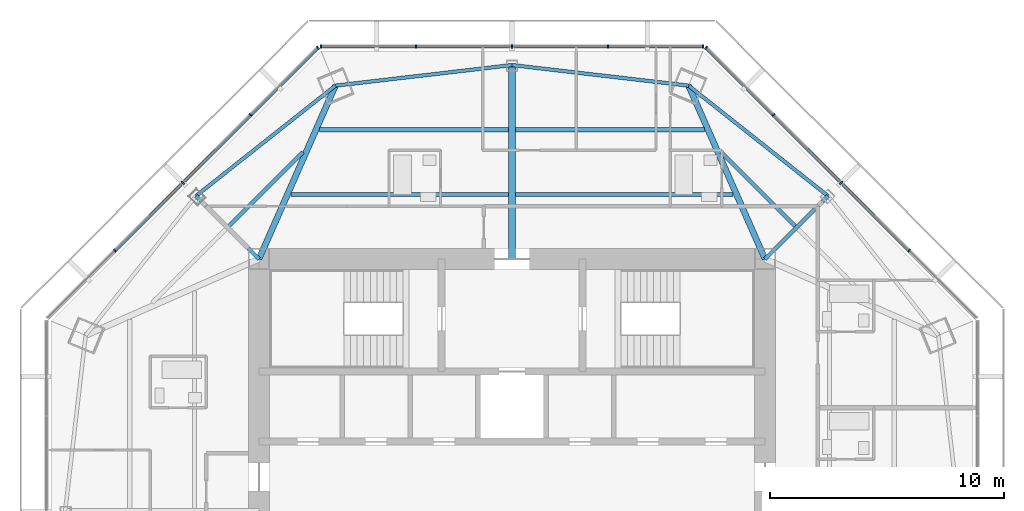
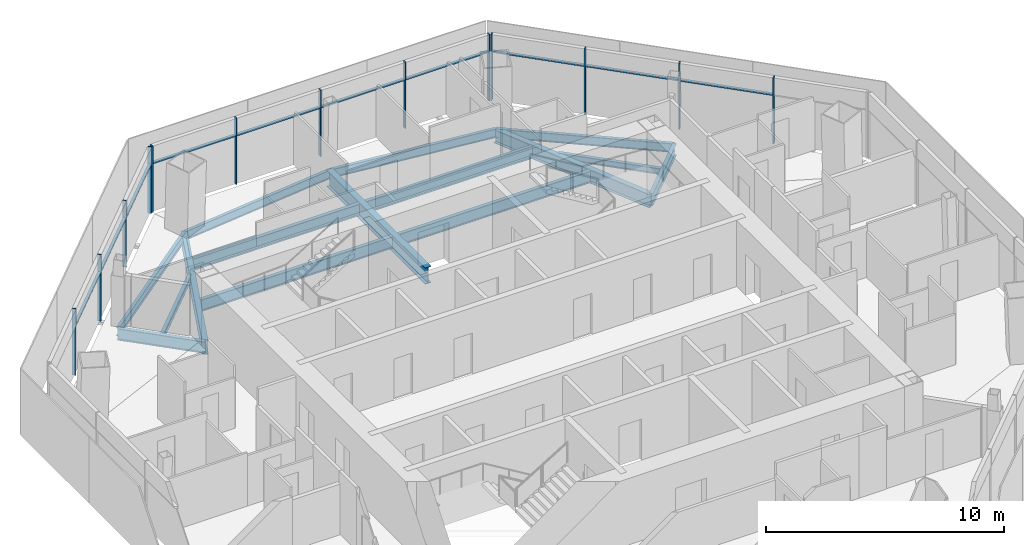
# One storey, part 6 of 14: 23 members, 15 beams, 3 elements without a shape of their own.
"""IFC4 building model written with IfcOpenShell, lengths in metres."""

import ifcopenshell
import ifcopenshell.guid

model = None  # the IFC model being written
_history = None  # IfcOwnerHistory: only IFC2X3 demands one
_inside = {}  # id of a spatial element -> (the spatial element, [elements in it])
_under = {}  # id of a project, library or spatial element -> (it, [spatial elements below it])
_declared = {}  # id of a project -> (the project, [libraries it declares])
_typed = {}  # id of a type object -> (the type object, [elements of that type])
_made_of = {}  # id of a material, layer set ... -> (it, [elements and type objects made of it])


def new_model(schema):
    """Start an empty IFC model of exactly this schema.

    Asked for "IFC4X3", IfcOpenShell would pick the latest addendum, in which some entities
    have other attributes; the version numbers below select the first issue.
    IFC2X3 requires an IfcOwnerHistory on every rooted entity: one is made here for all.
    """
    global model, _history
    if schema == "IFC4X3":
        model = ifcopenshell.file(schema_version=(4, 3, 0, 0))
    else:
        model = ifcopenshell.file(schema=schema)
    _inside.clear()
    _under.clear()
    _declared.clear()
    _typed.clear()
    _made_of.clear()
    _history = None
    if model.schema == "IFC2X3":
        org = make("IfcOrganization", Name="unknown")
        user = make(
            "IfcPersonAndOrganization",
            ThePerson=make("IfcPerson", FamilyName="unknown"),
            TheOrganization=org,
        )
        app = make(
            "IfcApplication",
            ApplicationDeveloper=org,
            Version="unknown",
            ApplicationFullName="unknown",
            ApplicationIdentifier="unknown",
        )
        _history = make(
            "IfcOwnerHistory",
            OwningUser=user,
            OwningApplication=app,
            ChangeAction="ADDED",
            CreationDate=0,
        )
    return model


def make(cls, **values):
    """One entity of the class cls with the attributes given. An attribute that is None is left unset."""
    return model.create_entity(
        cls, **{name: value for name, value in values.items() if value is not None}
    )


def rooted(cls, **values):
    """An entity with a GlobalId (a new one), such as an element, a storey or a relation."""
    return make(cls, GlobalId=ifcopenshell.guid.new(), OwnerHistory=_history, **values)


def si_unit(unit_type, name, prefix=None):
    """IfcSIUnit, for example si_unit("LENGTHUNIT", "METRE", prefix="MILLI")."""
    return make("IfcSIUnit", UnitType=unit_type, Prefix=prefix, Name=name)


def assignment(units):
    """IfcUnitAssignment: the units of a project."""
    return None if units is None else make("IfcUnitAssignment", Units=units)


def point(xyz):
    """IfcCartesianPoint."""
    return None if xyz is None else make("IfcCartesianPoint", Coordinates=xyz)


def direction(xyz):
    """IfcDirection."""
    return None if xyz is None else make("IfcDirection", DirectionRatios=xyz)


def frame(location, z_axis=None, x_axis=None):
    """IfcAxis2Placement3D, a coordinate frame: its origin and axes. An axis left out is left unset."""
    return make(
        "IfcAxis2Placement3D",
        Location=point(location),
        Axis=direction(z_axis),
        RefDirection=direction(x_axis),
    )


def frame_2d(location, x_axis=None):
    """IfcAxis2Placement2D, a coordinate frame in the plane: its origin and x axis."""
    return make(
        "IfcAxis2Placement2D", Location=point(location), RefDirection=direction(x_axis)
    )


def origin():
    """The frame at (0, 0, 0) with its axes left unset."""
    return frame((0.0, 0.0, 0.0))


def origin_2d():
    """The frame at (0, 0) in the plane with its x axis left unset."""
    return frame_2d((0.0, 0.0))


def place(relative_to, where):
    """IfcLocalPlacement: puts the frame where relative to a parent placement (None: the world)."""
    return make(
        "IfcLocalPlacement", PlacementRelTo=relative_to, RelativePlacement=where
    )


def context(
    kind, dimensions, precision=None, world=None, true_north=None, identifier=None
):
    """IfcGeometricRepresentationContext, for example the 3D "Model" context."""
    return make(
        "IfcGeometricRepresentationContext",
        ContextIdentifier=identifier,
        ContextType=kind,
        CoordinateSpaceDimension=dimensions,
        Precision=precision,
        WorldCoordinateSystem=world,
        TrueNorth=true_north,
    )


def subcontext(parent, identifier, kind, view, scale=None):
    """IfcGeometricRepresentationSubContext, for example "Body" below "Model"."""
    return make(
        "IfcGeometricRepresentationSubContext",
        ContextIdentifier=identifier,
        ContextType=kind,
        ParentContext=parent,
        TargetScale=scale,
        TargetView=view,
    )


def project(units=None, contexts=None):
    """IfcProject with its units and contexts."""
    return rooted(
        "IfcProject",
        Name="project",
        RepresentationContexts=contexts,
        UnitsInContext=assignment(units),
    )


def spatial(cls, under=None, at=None, **own):
    """A site, building, storey or space (cls), placed at a placement, below another one or the project."""
    s = rooted(cls, ObjectPlacement=at, **own)
    if under is not None:
        _under.setdefault(under.id(), (under, []))[1].append(s)
    return s


def profile(cls, at=None, kind="AREA", **sizes):
    """A parametric profile (cls). Its sizes go by their IFC names, for example OverallWidth=200.0."""
    return make(cls, ProfileType=kind, Position=at, **sizes)


def rectangle(**sizes):
    """IfcRectangleProfileDef."""
    return profile("IfcRectangleProfileDef", **sizes)


def i_section(**sizes):
    """IfcIShapeProfileDef."""
    return profile("IfcIShapeProfileDef", **sizes)


def extrude(swept, where, along, depth):
    """IfcExtrudedAreaSolid: the profile swept, set in the frame where, extruded along a direction by depth."""
    return make(
        "IfcExtrudedAreaSolid",
        SweptArea=swept,
        Position=where,
        ExtrudedDirection=direction(along),
        Depth=depth,
    )


def shape(context_of_items, identifier, shape_type, items):
    """IfcShapeRepresentation: the items that make up one representation, for example the "Body"."""
    return make(
        "IfcShapeRepresentation",
        ContextOfItems=context_of_items,
        RepresentationIdentifier=identifier,
        RepresentationType=shape_type,
        Items=items,
    )


def source(mapping_origin, context_of_items, identifier, shape_type, items):
    """IfcRepresentationMap: a shape defined once, which mapped items show again and again."""
    return make(
        "IfcRepresentationMap",
        MappingOrigin=mapping_origin,
        MappedRepresentation=shape(context_of_items, identifier, shape_type, items),
    )


def transform(
    local_origin,
    x_axis=None,
    y_axis=None,
    z_axis=None,
    scale=None,
    scale2=None,
    scale3=None,
    uniform=True,
):
    """IfcCartesianTransformationOperator3D, or its non-uniform kind. x_axis, y_axis, z_axis: its Axis1, 2, 3."""
    if uniform:
        return make(
            "IfcCartesianTransformationOperator3D",
            Axis1=direction(x_axis),
            Axis2=direction(y_axis),
            LocalOrigin=point(local_origin),
            Scale=scale,
            Axis3=direction(z_axis),
        )
    return make(
        "IfcCartesianTransformationOperator3DnonUniform",
        Axis1=direction(x_axis),
        Axis2=direction(y_axis),
        LocalOrigin=point(local_origin),
        Scale=scale,
        Axis3=direction(z_axis),
        Scale2=scale2,
        Scale3=scale3,
    )


def mapped(mapping_source, mapping_target):
    """IfcMappedItem: shows the shape of a source again, moved by a transform."""
    return make(
        "IfcMappedItem", MappingSource=mapping_source, MappingTarget=mapping_target
    )


def material(Name=None, Category=None):
    """IfcMaterial."""
    return make("IfcMaterial", Name=Name, Category=Category)


def material_profile(
    of_material, cross_section, Name=None, Category=None, Priority=None
):
    """IfcMaterialProfile: a cross section and its material."""
    return make(
        "IfcMaterialProfile",
        Name=Name,
        Material=of_material,
        Profile=cross_section,
        Priority=Priority,
        Category=Category,
    )


def profile_set(profiles, Name=None, composite=None):
    """IfcMaterialProfileSet."""
    return make(
        "IfcMaterialProfileSet",
        Name=Name,
        MaterialProfiles=profiles,
        CompositeProfile=composite,
    )


def made_of(thing, what):
    """Note that an element or type object is made of a material, layer set ...; save() writes the relation."""
    if what is not None:
        _made_of.setdefault(what.id(), (what, []))[1].append(thing)
    return thing


def type_object(cls, material=None, **own):
    """A type object (cls), such as IfcWallType, which elements share."""
    return made_of(rooted(cls, **own), material)


def type_shapes(of_type, sources):
    """Give a type object the sources (RepresentationMaps) that its elements show as mapped items."""
    of_type.RepresentationMaps = sources


def element(
    cls,
    number,
    at=None,
    inside=None,
    cuts=None,
    type_object=None,
    material=None,
    context=None,
    identifier="Body",
    shape_type=None,
    held_by="IfcProductDefinitionShape",
    body=None,
    shapes=None,
    **own,
):
    """One element of the class cls, such as IfcWall. Its Tag is "e" and its number.

    at: its placement. inside: the storey or other place that contains it. cuts: it is an
    opening in that element (IfcRelVoidsElement). A single representation is given by context,
    identifier, shape_type and body (its items); several are given by shapes. held_by: the class
    of the entity that holds the representations. save() writes the other relations.
    """
    e = rooted(cls, Tag="e%d" % number, ObjectPlacement=at, **own)
    if body is not None:
        shapes = [shape(context, identifier, shape_type, body)]
    if shapes is not None:
        e.Representation = make(held_by, Representations=shapes)
    if inside is not None:
        _inside.setdefault(inside.id(), (inside, []))[1].append(e)
    if cuts is not None:
        rooted(
            "IfcRelVoidsElement", RelatingBuildingElement=cuts, RelatedOpeningElement=e
        )
    if type_object is not None:
        _typed.setdefault(type_object.id(), (type_object, []))[1].append(e)
    return made_of(e, material)


def aggregate(whole, parts):
    """IfcRelAggregates: a whole, such as a stair, and the parts it consists of."""
    return rooted("IfcRelAggregates", RelatingObject=whole, RelatedObjects=parts)


def save(model, path):
    """Write the relations noted so far, then the file.

    IfcRelAggregates (storeys below a building ...), IfcRelContainedInSpatialStructure (elements
    in a storey), IfcRelDefinesByType, IfcRelAssociatesMaterial and IfcRelDeclares: one each for
    every whole, place, type object, material and project.
    """
    for whole, parts in _under.values():
        aggregate(whole, parts)
    for where, things in _inside.values():
        rooted(
            "IfcRelContainedInSpatialStructure",
            RelatedElements=things,
            RelatingStructure=where,
        )
    for kind, things in _typed.values():
        rooted("IfcRelDefinesByType", RelatedObjects=things, RelatingType=kind)
    for what, things in _made_of.values():
        rooted("IfcRelAssociatesMaterial", RelatedObjects=things, RelatingMaterial=what)
    for by, libraries in _declared.values():
        rooted("IfcRelDeclares", RelatingContext=by, RelatedDefinitions=libraries)
    model.write(path)


model = new_model("IFC4")

# Units and contexts
model_context = context("Model", 3, precision=1e-05, world=origin(), true_north=direction((0.0, 1.0)))
body_context = subcontext(model_context, "Body", "Model", "MODEL_VIEW")
ifc_project = project(units=[si_unit("LENGTHUNIT", "METRE"), si_unit("AREAUNIT", "SQUARE_METRE"), si_unit("VOLUMEUNIT", "CUBIC_METRE"), si_unit("PLANEANGLEUNIT", "RADIAN"), si_unit("MASSUNIT", "GRAM", prefix="KILO")], contexts=[model_context])

# Site, building, storey
site_placement = place(None, origin())
site = spatial("IfcSite", under=ifc_project, at=site_placement, CompositionType="ELEMENT")
building_placement = place(site_placement, origin())
building = spatial("IfcBuilding", under=site, at=building_placement, Name="Mashrafa Tower", CompositionType="ELEMENT")
storey_placement = place(building_placement, frame((0.0, 0.0, 287.800048828125)))
storey = spatial("IfcBuildingStorey", under=building, at=storey_placement, Name="L70", CompositionType="ELEMENT", Elevation=287.800048828125)

# Beams
ifc_material_1 = material(Name="Steel ASTM A992", Category="steel")
ifc_material_profile_1 = material_profile(ifc_material_1, i_section(OverallWidth=0.164794921875, OverallDepth=0.309814453125, WebThickness=0.005859375, FlangeThickness=0.009765625, FilletRadius=0.007568359375, at=origin_2d()), Name="W12X26")
ifc_profile_set_1 = profile_set([ifc_material_profile_1], Name="Steel ASTM A992")
beam_type_1 = type_object("IfcBeamType", Name="Beam W12X26", PredefinedType="BEAM", material=ifc_profile_set_1)
for number, where, z_axis, x_axis, name in (
    (1, (-12.08251953125, 12.20849609375, -0.35498046875), (0.707134169849, 0.707079391464, 0.0), (-0.707079391464, 0.707134169849, 0.0), "Floor beam L70 007"),
    (2, (8.930908203125, 15.35986328125, -0.35498046875), (0.707134169849, -0.707079391464, 0.0), (0.707079391464, 0.707134169849, 0.0), "Floor beam L70 016"),
):
    element("IfcBeam", number, at=place(storey_placement, frame(where, z_axis=z_axis, x_axis=x_axis)), inside=storey, type_object=beam_type_1, Name=name, PredefinedType="BEAM", context=body_context, shape_type="SweptSolid", body=[
        extrude(i_section(OverallWidth=0.164794921875, OverallDepth=0.309814453125, WebThickness=0.005859375, FlangeThickness=0.009765625, FilletRadius=0.007568359375, at=origin_2d()), origin(), (0.0, 0.0, 1.0), 4.456787109375),
    ])
ifc_material_2 = material(Name="Steel ASTM A992", Category="steel")
ifc_material_profile_2 = material_profile(ifc_material_2, i_section(OverallWidth=0.15234375, OverallDepth=0.449462890625, WebThickness=0.007568359375, FlangeThickness=0.0107421875, FilletRadius=0.01025390625, at=origin_2d()), Name="W18X35")
ifc_profile_set_2 = profile_set([ifc_material_profile_2], Name="Steel ASTM A992")
beam_type_2 = type_object("IfcBeamType", Name="Beam W18X35", PredefinedType="BEAM", material=ifc_profile_set_2)
beam_1_placement = place(storey_placement, frame((-7.5390625, 18.20068359375, -0.4248046875), z_axis=(-0.784159304462, -0.620559574276, 0.0), x_axis=(0.620559574276, -0.784159304462, 0.0)))
element("IfcBeam", 3, at=beam_1_placement, inside=storey, type_object=beam_type_2, Name="Spandrel beam L70 047", PredefinedType="BEAM", context=body_context, shape_type="SweptSolid", body=[
    extrude(i_section(OverallWidth=0.15234375, OverallDepth=0.449462890625, WebThickness=0.007568359375, FlangeThickness=0.0107421875, FilletRadius=0.01025390625, at=origin_2d()), origin(), (0.0, 0.0, 1.0), 7.58984375),
])
for number, where, z_axis, x_axis, name in (
    (4, (0.0, 19.078857421875, -0.4248046875), (-0.99328410251, -0.115700871656, 0.0), (0.115700871656, -0.99328410251, 0.0), "Spandrel beam L70 049"),
    (5, (7.5390625, 18.20068359375, -0.4248046875), (-0.99328410251, 0.115700871656, 0.0), (-0.115700871656, -0.99328410251, 0.0), "Spandrel beam L70 051"),
):
    element("IfcBeam", number, at=place(storey_placement, frame(where, z_axis=z_axis, x_axis=x_axis)), inside=storey, type_object=beam_type_2, Name=name, PredefinedType="BEAM", context=body_context, shape_type="SweptSolid", body=[
        extrude(i_section(OverallWidth=0.15234375, OverallDepth=0.449462890625, WebThickness=0.007568359375, FlangeThickness=0.0107421875, FilletRadius=0.01025390625, at=origin_2d()), origin(), (0.0, 0.0, 1.0), 7.590087890625),
    ])
beam_2_placement = place(storey_placement, frame((13.49072265625, 13.49072265625, -0.4248046875), z_axis=(-0.784159304462, 0.620559574276, 0.0), x_axis=(-0.620559574276, -0.784159304462, 0.0)))
element("IfcBeam", 6, at=beam_2_placement, inside=storey, type_object=beam_type_2, Name="Spandrel beam L70 053", PredefinedType="BEAM", context=body_context, shape_type="SweptSolid", body=[
    extrude(i_section(OverallWidth=0.15234375, OverallDepth=0.449462890625, WebThickness=0.007568359375, FlangeThickness=0.0107421875, FilletRadius=0.01025390625, at=origin_2d()), origin(), (0.0, 0.0, 1.0), 7.58984375),
])
ifc_material_3 = material(Name="Steel ASTM A992", Category="steel")
ifc_material_profile_3 = material_profile(ifc_material_3, i_section(OverallWidth=0.177978515625, OverallDepth=0.599365234375, WebThickness=0.010009765625, FlangeThickness=0.012939453125, FilletRadius=0.012939453125, at=origin_2d()), Name="W24X55")
ifc_profile_set_3 = profile_set([ifc_material_profile_3], Name="Steel ASTM A992")
beam_type_3 = type_object("IfcBeamType", Name="Beam W24X55", PredefinedType="BEAM", material=ifc_profile_set_3)
beam_3_placement = place(storey_placement, frame((-9.44384765625, 13.5595703125, -0.499755859375), z_axis=(1.0, 0.0, 0.0), x_axis=(0.0, 1.0, 0.0)))
element("IfcBeam", 7, at=beam_3_placement, inside=storey, type_object=beam_type_3, Name="Floor beam L70 008", PredefinedType="BEAM", context=body_context, shape_type="SweptSolid", body=[
    extrude(i_section(OverallWidth=0.177978515625, OverallDepth=0.599365234375, WebThickness=0.010009765625, FlangeThickness=0.012939453125, FilletRadius=0.012939453125, at=origin_2d()), origin(), (0.0, 0.0, 1.0), 9.2978515625),
])
beam_4_placement = place(storey_placement, frame((-8.227783203125, 16.3193359375, -0.499755859375), z_axis=(1.0, 0.0, 0.0), x_axis=(0.0, 1.0, 0.0)))
element("IfcBeam", 8, at=beam_4_placement, inside=storey, type_object=beam_type_3, Name="Floor beam L70 010", PredefinedType="BEAM", context=body_context, shape_type="SweptSolid", body=[
    extrude(i_section(OverallWidth=0.177978515625, OverallDepth=0.599365234375, WebThickness=0.010009765625, FlangeThickness=0.012939453125, FilletRadius=0.012939453125, at=origin_2d()), origin(), (0.0, 0.0, 1.0), 8.081787109375),
])
beam_5_placement = place(storey_placement, frame((0.14599609375, 13.5595703125, -0.499755859375), z_axis=(1.0, 0.0, 0.0), x_axis=(0.0, 1.0, 0.0)))
element("IfcBeam", 9, at=beam_5_placement, inside=storey, type_object=beam_type_3, Name="Floor beam L70 013", PredefinedType="BEAM", context=body_context, shape_type="SweptSolid", body=[
    extrude(i_section(OverallWidth=0.177978515625, OverallDepth=0.599365234375, WebThickness=0.010009765625, FlangeThickness=0.012939453125, FilletRadius=0.012939453125, at=origin_2d()), origin(), (0.0, 0.0, 1.0), 9.2978515625),
])
beam_6_placement = place(storey_placement, frame((0.14599609375, 16.3193359375, -0.499755859375), z_axis=(1.0, 0.0, 0.0), x_axis=(0.0, 1.0, 0.0)))
element("IfcBeam", 10, at=beam_6_placement, inside=storey, type_object=beam_type_3, Name="Floor beam L70 014", PredefinedType="BEAM", context=body_context, shape_type="SweptSolid", body=[
    extrude(i_section(OverallWidth=0.177978515625, OverallDepth=0.599365234375, WebThickness=0.010009765625, FlangeThickness=0.012939453125, FilletRadius=0.012939453125, at=origin_2d()), origin(), (0.0, 0.0, 1.0), 8.081787109375),
])
for number, where, z_axis, x_axis, name in (
    (11, (-10.800048828125, 10.800048828125, -0.499755859375), (-0.707106781187, 0.707106781187, 0.0), (-0.707106781187, -0.707106781187, 0.0), "Radial girder L70 030"),
    (12, (10.800048828125, 10.800048828125, -0.499755859375), (0.707106781187, 0.707106781187, 0.0), (-0.707106781187, 0.707106781187, 0.0), "Radial girder L70 039"),
):
    element("IfcBeam", number, at=place(storey_placement, frame(where, z_axis=z_axis, x_axis=x_axis)), inside=storey, type_object=beam_type_3, Name=name, PredefinedType="BEAM", context=body_context, shape_type="SweptSolid", body=[
        extrude(i_section(OverallWidth=0.177978515625, OverallDepth=0.599365234375, WebThickness=0.010009765625, FlangeThickness=0.012939453125, FilletRadius=0.012939453125, at=origin_2d()), origin(), (0.0, 0.0, 1.0), 3.80517578125),
    ])
ifc_material_4 = material(Name="Steel ASTM A992", Category="steel")
ifc_material_profile_4 = material_profile(ifc_material_4, i_section(OverallWidth=0.256591796875, OverallDepth=0.693359375, WebThickness=0.014404296875, FlangeThickness=0.023681640625, FilletRadius=0.01513671875, at=origin_2d()), Name="W27X114")
ifc_profile_set_4 = profile_set([ifc_material_profile_4], Name="Steel ASTM A992")
beam_type_4 = type_object("IfcBeamType", Name="Beam W27X114", PredefinedType="BEAM", material=ifc_profile_set_4)
for number, where, z_axis, x_axis, name in (
    (13, (-10.800048828125, 10.800048828125, -0.546875), (0.403226184423, 0.915100346517, 0.0), (-0.915100346517, 0.403226184423, 0.0), "Radial girder L70 031"),
    (14, (10.800048828125, 10.800048828125, -0.546875), (-0.403226184423, 0.915100346517, 0.0), (-0.915100346517, -0.403226184423, 0.0), "Radial girder L70 038"),
):
    element("IfcBeam", number, at=place(storey_placement, frame(where, z_axis=z_axis, x_axis=x_axis)), inside=storey, type_object=beam_type_4, Name=name, PredefinedType="BEAM", context=body_context, shape_type="SweptSolid", body=[
        extrude(i_section(OverallWidth=0.256591796875, OverallDepth=0.693359375, WebThickness=0.014404296875, FlangeThickness=0.023681640625, FilletRadius=0.01513671875, at=origin_2d()), origin(), (0.0, 0.0, 1.0), 8.087158203125),
    ])
ifc_material_5 = material(Name="Steel ASTM A992", Category="steel")
ifc_material_profile_5 = material_profile(ifc_material_5, i_section(OverallWidth=0.2919921875, OverallDepth=0.8408203125, WebThickness=0.0146484375, FlangeThickness=0.021728515625, FilletRadius=0.017333984375, at=origin_2d()), Name="W33X130")
ifc_profile_set_5 = profile_set([ifc_material_profile_5], Name="Steel ASTM A992")
beam_type_5 = type_object("IfcBeamType", Name="Beam W33X130", PredefinedType="BEAM", material=ifc_profile_set_5)
beam_7_placement = place(storey_placement, frame((0.0, 10.800048828125, -0.620361328125), z_axis=(0.0, 1.0, 0.0), x_axis=(-1.0, 0.0, 0.0)))
element("IfcBeam", 15, at=beam_7_placement, inside=storey, type_object=beam_type_5, Name="Radial girder L70 033", PredefinedType="BEAM", context=body_context, shape_type="SweptSolid", body=[
    extrude(i_section(OverallWidth=0.2919921875, OverallDepth=0.8408203125, WebThickness=0.0146484375, FlangeThickness=0.021728515625, FilletRadius=0.017333984375, at=origin_2d()), origin(), (0.0, 0.0, 1.0), 8.27880859375),
])

# Curtain wall, members
ifc_material_6 = material(Name="Unitised aluminium curtain wall", Category="aluminium")
curtain_wall_type = type_object("IfcCurtainWallType", Name="Apartment curtain wall, zone 4 CW-D 160 deep", PredefinedType="NOTDEFINED", material=ifc_material_6)
curtain_wall_1_placement = place(storey_placement, origin())
curtain_wall_1 = element("IfcCurtainWall", 16, at=curtain_wall_1_placement, inside=storey, type_object=curtain_wall_type, Name="Apartment curtain wall, zone 4 L70 north-east", PredefinedType="NOTDEFINED")
ifc_material_7 = material(Name="Extruded aluminium mullion", Category="aluminium")
ifc_material_profile_6 = material_profile(ifc_material_7, rectangle(XDim=0.159912109375, YDim=0.06005859375, at=origin_2d()), Name="Mullion 60x160")
ifc_profile_set_6 = profile_set([ifc_material_profile_6], Name="Extruded aluminium mullion")
member_type_1 = type_object("IfcMemberType", Name="Mullion CW-D 60 x 160", PredefinedType="MULLION", material=ifc_profile_set_6)
shared_shape_1 = source(origin(), body_context, "Body", "SweptSolid", [
    extrude(rectangle(XDim=0.159912109375, YDim=0.06005859375, at=origin_2d()), origin(), (0.0, 0.0, 1.0), 3.39990234375),
])
type_shapes(member_type_1, [shared_shape_1])
member_1_placement = place(storey_placement, frame((16.94775390625, 11.157470703125, 0.0), z_axis=(0.0, 0.0, 1.0), x_axis=(-0.707106781187, -0.707106781187, 0.0)))
member_1 = element("IfcMember", 17, at=member_1_placement, type_object=member_type_1, Name="CW-D mullion 2", PredefinedType="MULLION", context=body_context, shape_type="MappedRepresentation", body=[
    mapped(shared_shape_1, transform((0.0, 0.0, 0.0))),
])
member_2_placement = place(storey_placement, frame((14.052490234375, 14.052490234375, 0.0), z_axis=(0.0, 0.0, 1.0), x_axis=(-0.707106781187, -0.707106781187, 0.0)))
member_2 = element("IfcMember", 18, at=member_2_placement, type_object=member_type_1, Name="CW-D mullion 3", PredefinedType="MULLION", context=body_context, shape_type="MappedRepresentation", body=[
    mapped(shared_shape_1, transform((0.0, 0.0, 0.0))),
])
member_3_placement = place(storey_placement, frame((11.157470703125, 16.94775390625, 0.0), z_axis=(0.0, 0.0, 1.0), x_axis=(-0.707106781187, -0.707106781187, 0.0)))
member_3 = element("IfcMember", 19, at=member_3_placement, type_object=member_type_1, Name="CW-D mullion 4", PredefinedType="MULLION", context=body_context, shape_type="MappedRepresentation", body=[
    mapped(shared_shape_1, transform((0.0, 0.0, 0.0))),
])
member_4_placement = place(storey_placement, frame((8.283447265625, 19.821533203125, 0.0), z_axis=(0.0, 0.0, 1.0), x_axis=(-0.707106781187, -0.707106781187, 0.0)))
member_4 = element("IfcMember", 20, at=member_4_placement, type_object=member_type_1, Name="CW-D mullion 5", PredefinedType="MULLION", context=body_context, shape_type="MappedRepresentation", body=[
    mapped(shared_shape_1, transform((0.0, 0.0, 0.0))),
])

curtain_wall_2_placement = place(storey_placement, origin())
curtain_wall_2 = element("IfcCurtainWall", 21, at=curtain_wall_2_placement, inside=storey, type_object=curtain_wall_type, Name="Apartment curtain wall, zone 4 L70 north", PredefinedType="NOTDEFINED")
member_5_placement = place(storey_placement, frame((8.15869140625, 19.873291015625, 0.0), z_axis=(0.0, 0.0, 1.0), x_axis=(0.0, -1.0, 0.0)))
member_5 = element("IfcMember", 22, at=member_5_placement, type_object=member_type_1, Name="CW-D mullion 1", PredefinedType="MULLION", context=body_context, shape_type="MappedRepresentation", body=[
    mapped(shared_shape_1, transform((0.0, 0.0, 0.0))),
])
member_6_placement = place(storey_placement, frame((4.09423828125, 19.873291015625, 0.0), z_axis=(0.0, 0.0, 1.0), x_axis=(0.0, -1.0, 0.0)))
member_6 = element("IfcMember", 23, at=member_6_placement, type_object=member_type_1, Name="CW-D mullion 2", PredefinedType="MULLION", context=body_context, shape_type="MappedRepresentation", body=[
    mapped(shared_shape_1, transform((0.0, 0.0, 0.0))),
])
member_7_placement = place(storey_placement, frame((0.0, 19.873291015625, 0.0), z_axis=(0.0, 0.0, 1.0), x_axis=(0.0, -1.0, 0.0)))
member_7 = element("IfcMember", 24, at=member_7_placement, type_object=member_type_1, Name="CW-D mullion 3", PredefinedType="MULLION", context=body_context, shape_type="MappedRepresentation", body=[
    mapped(shared_shape_1, transform((0.0, 0.0, 0.0))),
])
member_8_placement = place(storey_placement, frame((-4.09423828125, 19.873291015625, 0.0), z_axis=(0.0, 0.0, 1.0), x_axis=(0.0, -1.0, 0.0)))
member_8 = element("IfcMember", 25, at=member_8_placement, type_object=member_type_1, Name="CW-D mullion 4", PredefinedType="MULLION", context=body_context, shape_type="MappedRepresentation", body=[
    mapped(shared_shape_1, transform((0.0, 0.0, 0.0))),
])
member_9_placement = place(storey_placement, frame((-8.15869140625, 19.873291015625, 0.0), z_axis=(0.0, 0.0, 1.0), x_axis=(0.0, -1.0, 0.0)))
member_9 = element("IfcMember", 26, at=member_9_placement, type_object=member_type_1, Name="CW-D mullion 5", PredefinedType="MULLION", context=body_context, shape_type="MappedRepresentation", body=[
    mapped(shared_shape_1, transform((0.0, 0.0, 0.0))),
])

curtain_wall_3_placement = place(storey_placement, origin())
curtain_wall_3 = element("IfcCurtainWall", 27, at=curtain_wall_3_placement, inside=storey, type_object=curtain_wall_type, Name="Apartment curtain wall, zone 4 L70 north-west", PredefinedType="NOTDEFINED")
member_10_placement = place(storey_placement, frame((-8.283447265625, 19.821533203125, 0.0), z_axis=(0.0, 0.0, 1.0), x_axis=(0.707106781187, -0.707106781187, 0.0)))
member_10 = element("IfcMember", 28, at=member_10_placement, type_object=member_type_1, Name="CW-D mullion 1", PredefinedType="MULLION", context=body_context, shape_type="MappedRepresentation", body=[
    mapped(shared_shape_1, transform((0.0, 0.0, 0.0))),
])
member_11_placement = place(storey_placement, frame((-11.157470703125, 16.94775390625, 0.0), z_axis=(0.0, 0.0, 1.0), x_axis=(0.707106781187, -0.707106781187, 0.0)))
member_11 = element("IfcMember", 29, at=member_11_placement, type_object=member_type_1, Name="CW-D mullion 2", PredefinedType="MULLION", context=body_context, shape_type="MappedRepresentation", body=[
    mapped(shared_shape_1, transform((0.0, 0.0, 0.0))),
])
member_12_placement = place(storey_placement, frame((-14.052490234375, 14.052490234375, 0.0), z_axis=(0.0, 0.0, 1.0), x_axis=(0.707106781187, -0.707106781187, 0.0)))
member_12 = element("IfcMember", 30, at=member_12_placement, type_object=member_type_1, Name="CW-D mullion 3", PredefinedType="MULLION", context=body_context, shape_type="MappedRepresentation", body=[
    mapped(shared_shape_1, transform((0.0, 0.0, 0.0))),
])
member_13_placement = place(storey_placement, frame((-16.94775390625, 11.157470703125, 0.0), z_axis=(0.0, 0.0, 1.0), x_axis=(0.707106781187, -0.707106781187, 0.0)))
member_13 = element("IfcMember", 31, at=member_13_placement, type_object=member_type_1, Name="CW-D mullion 4", PredefinedType="MULLION", context=body_context, shape_type="MappedRepresentation", body=[
    mapped(shared_shape_1, transform((0.0, 0.0, 0.0))),
])

# Member
ifc_material_8 = material(Name="Extruded aluminium transom", Category="aluminium")
ifc_material_profile_7 = material_profile(ifc_material_8, rectangle(XDim=0.1279296875, YDim=0.074951171875, at=origin_2d()), Name="Transom 75x128")
ifc_profile_set_7 = profile_set([ifc_material_profile_7], Name="Extruded aluminium transom")
member_type_2 = type_object("IfcMemberType", Name="Transom CW-D 75 x 128", PredefinedType="MULLION", material=ifc_profile_set_7)
shared_shape_2 = source(origin(), body_context, "Body", "SweptSolid", [
    extrude(rectangle(XDim=0.1279296875, YDim=0.074951171875, at=origin_2d()), origin(), (0.0, 0.0, 1.0), 4.00439453125),
])
member_14_placement = place(storey_placement, frame((11.13623046875, 16.96875, 2.5), z_axis=(-0.707106781187, 0.707106781187, 0.0), x_axis=(-0.707106781187, -0.707106781187, 0.0)))
member_14 = element("IfcMember", 32, at=member_14_placement, type_object=member_type_2, Name="CW-D transom 4", PredefinedType="MULLION", context=body_context, shape_type="MappedRepresentation", body=[
    mapped(shared_shape_2, transform((0.0, 0.0, 0.0))),
])

member_15_placement = place(storey_placement, frame((8.128662109375, 19.873291015625, 2.5), z_axis=(-1.0, 0.0, 0.0), x_axis=(0.0, -1.0, 0.0)))
member_15 = element("IfcMember", 33, at=member_15_placement, type_object=member_type_2, Name="CW-D transom 1", PredefinedType="MULLION", context=body_context, shape_type="MappedRepresentation", body=[
    mapped(shared_shape_2, transform((0.0, 0.0, 0.0))),
])

member_16_placement = place(storey_placement, frame((-4.124267578125, 19.873291015625, 2.5), z_axis=(-1.0, 0.0, 0.0), x_axis=(0.0, -1.0, 0.0)))
member_16 = element("IfcMember", 34, at=member_16_placement, type_object=member_type_2, Name="CW-D transom 4", PredefinedType="MULLION", context=body_context, shape_type="MappedRepresentation", body=[
    mapped(shared_shape_2, transform((0.0, 0.0, 0.0))),
])

member_17_placement = place(storey_placement, frame((-8.3046875, 19.80029296875, 2.5), z_axis=(-0.707106781187, -0.707106781187, 0.0), x_axis=(0.707106781187, -0.707106781187, 0.0)))
member_17 = element("IfcMember", 35, at=member_17_placement, type_object=member_type_2, Name="CW-D transom 1", PredefinedType="MULLION", context=body_context, shape_type="MappedRepresentation", body=[
    mapped(shared_shape_2, transform((0.0, 0.0, 0.0))),
])

shared_shape_3 = source(origin(), body_context, "Body", "SweptSolid", [
    extrude(rectangle(XDim=0.1279296875, YDim=0.074951171875, at=origin_2d()), origin(), (0.0, 0.0, 1.0), 4.0341796875),
])
type_shapes(member_type_2, [shared_shape_2, shared_shape_3])
member_18_placement = place(storey_placement, frame((16.926513671875, 11.1787109375, 2.5), z_axis=(-0.707137038863, 0.707076522215, 0.0), x_axis=(-0.707076522215, -0.707137038863, 0.0)))
member_18 = element("IfcMember", 36, at=member_18_placement, type_object=member_type_2, Name="CW-D transom 2", PredefinedType="MULLION", context=body_context, shape_type="MappedRepresentation", body=[
    mapped(shared_shape_3, transform((0.0, 0.0, 0.0))),
])

member_19_placement = place(storey_placement, frame((14.03125, 14.07373046875, 2.5), z_axis=(-0.707076522215, 0.707137038863, 0.0), x_axis=(-0.707137038863, -0.707076522215, 0.0)))
member_19 = element("IfcMember", 37, at=member_19_placement, type_object=member_type_2, Name="CW-D transom 3", PredefinedType="MULLION", context=body_context, shape_type="MappedRepresentation", body=[
    mapped(shared_shape_3, transform((0.0, 0.0, 0.0))),
])

aggregate(curtain_wall_1, [member_1, member_2, member_3, member_4, member_18, member_19, member_14])

member_20_placement = place(storey_placement, frame((4.064208984375, 19.873291015625, 2.5), z_axis=(-1.0, 0.0, 0.0), x_axis=(0.0, -1.0, 0.0)))
member_20 = element("IfcMember", 38, at=member_20_placement, type_object=member_type_2, Name="CW-D transom 2", PredefinedType="MULLION", context=body_context, shape_type="MappedRepresentation", body=[
    mapped(shared_shape_3, transform((0.0, 0.0, 0.0))),
])

member_21_placement = place(storey_placement, frame((-0.030029296875, 19.873291015625, 2.5), z_axis=(-1.0, 0.0, 0.0), x_axis=(0.0, -1.0, 0.0)))
member_21 = element("IfcMember", 39, at=member_21_placement, type_object=member_type_2, Name="CW-D transom 3", PredefinedType="MULLION", context=body_context, shape_type="MappedRepresentation", body=[
    mapped(shared_shape_3, transform((0.0, 0.0, 0.0))),
])

aggregate(curtain_wall_2, [member_5, member_6, member_7, member_8, member_9, member_15, member_20, member_21, member_16])

member_22_placement = place(storey_placement, frame((-11.1787109375, 16.926513671875, 2.5), z_axis=(-0.707076522215, -0.707137038863, 0.0), x_axis=(0.707137038863, -0.707076522215, 0.0)))
member_22 = element("IfcMember", 40, at=member_22_placement, type_object=member_type_2, Name="CW-D transom 2", PredefinedType="MULLION", context=body_context, shape_type="MappedRepresentation", body=[
    mapped(shared_shape_3, transform((0.0, 0.0, 0.0))),
])

member_23_placement = place(storey_placement, frame((-14.07373046875, 14.03125, 2.5), z_axis=(-0.707137038863, -0.707076522215, 0.0), x_axis=(0.707076522215, -0.707137038863, 0.0)))
member_23 = element("IfcMember", 41, at=member_23_placement, type_object=member_type_2, Name="CW-D transom 3", PredefinedType="MULLION", context=body_context, shape_type="MappedRepresentation", body=[
    mapped(shared_shape_3, transform((0.0, 0.0, 0.0))),
])

aggregate(curtain_wall_3, [member_10, member_11, member_12, member_13, member_17, member_22, member_23])

save(model, "model.ifc")
